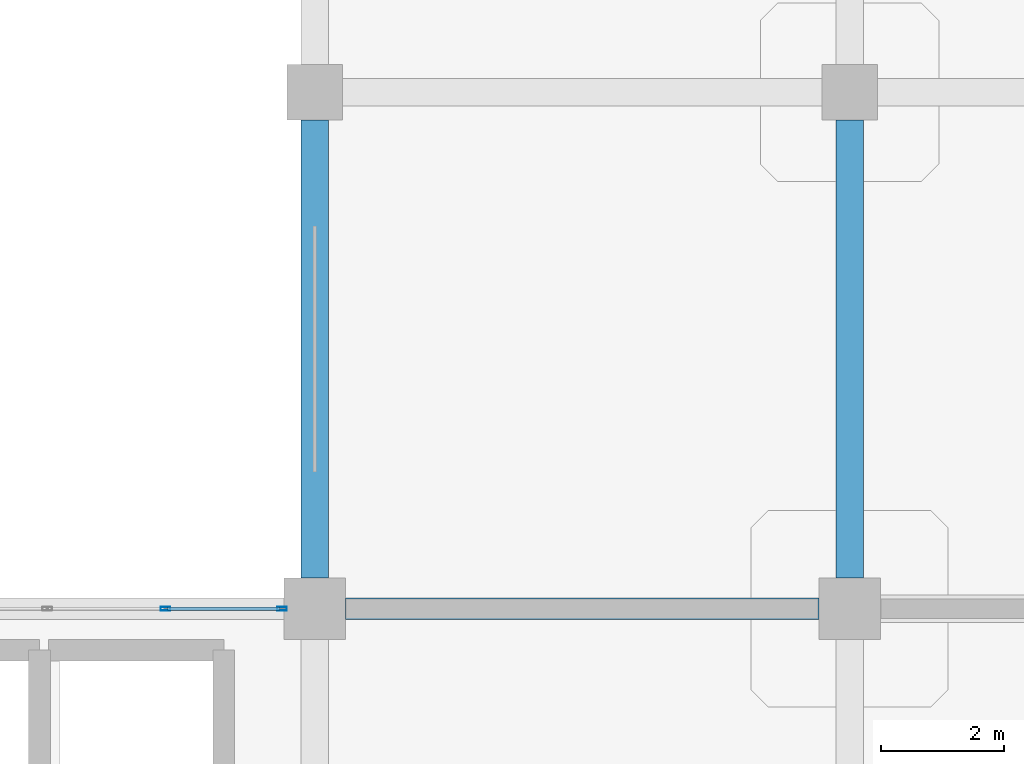
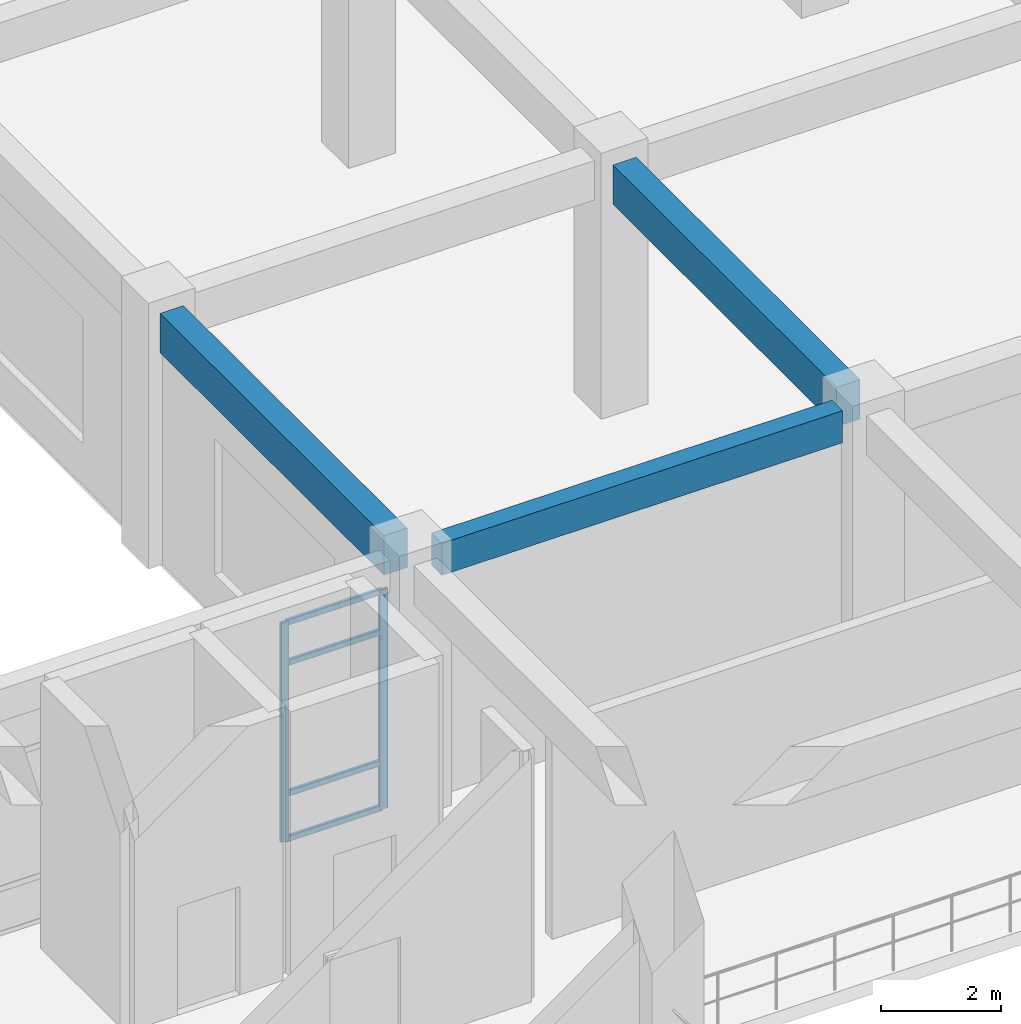
# One storey, part 42 of 114: 6 members, 3 beams, 1 element without a shape of its own.
"""IFC4 building model written with IfcOpenShell, lengths in metres."""

from ifc_helpers import new_model, si_unit, derived_unit, direction, frame, origin, origin_2d, place, context, subcontext, project, spatial, rectangle, hollow_rectangle, extrude, material, layer, layer_set, material_profile, profile_set, type_object, element, aggregate, save


model = new_model("IFC4")

# Units and contexts
model_context = context("Model", 3, precision=1e-05, world=origin(), true_north=direction((0.0, 1.0)))
body_context = subcontext(model_context, "Body", "Model", "MODEL_VIEW")
ifc_project = project(units=[si_unit("LENGTHUNIT", "METRE"), si_unit("AREAUNIT", "SQUARE_METRE"), si_unit("VOLUMEUNIT", "CUBIC_METRE"), si_unit("PLANEANGLEUNIT", "RADIAN"), si_unit("MASSUNIT", "GRAM", prefix="KILO"), derived_unit("THERMALTRANSMITTANCEUNIT", [(si_unit("MASSUNIT", "GRAM", prefix="KILO"), 1), (si_unit("TIMEUNIT", "SECOND"), -3), (si_unit("THERMODYNAMICTEMPERATUREUNIT", "KELVIN"), -1)])], contexts=[model_context])

# Site, building, storey
site_placement = place(None, origin())
site = spatial("IfcSite", under=ifc_project, at=site_placement, CompositionType="ELEMENT")
building_placement = place(site_placement, origin())
building = spatial("IfcBuilding", under=site, at=building_placement, Name="Qinzheling Arcade Emporium", CompositionType="ELEMENT")
storey_placement = place(building_placement, frame((0.0, 0.0, 6.0)))
storey = spatial("IfcBuildingStorey", under=building, at=storey_placement, Name="L02", CompositionType="ELEMENT", Elevation=6.0)

# Curtain wall, members
ifc_material_1 = material(Name="Anodised aluminium and solar-control double glazing", Category="aluminium")
ifc_layer = layer(ifc_material_1, 0.159912109375, Name="Anodised aluminium and solar-control double glazing", Category="aluminium")
ifc_layer_set = layer_set([ifc_layer], Name="Anodised aluminium and solar-control double glazing")
curtain_wall_type = type_object("IfcCurtainWallType", Name="Atrium Clerestory Curtain Wall", PredefinedType="NOTDEFINED", material=ifc_layer_set)
curtain_wall_placement = place(storey_placement, origin())
curtain_wall = element("IfcCurtainWall", 1, at=curtain_wall_placement, inside=storey, type_object=curtain_wall_type, Name="Curtain Wall CW-L02-093", PredefinedType="NOTDEFINED")
ifc_material_2 = material(Name="Anodised aluminium 6063-T6", Category="aluminium")
ifc_material_profile_1 = material_profile(ifc_material_2, hollow_rectangle(XDim=0.06005859375, YDim=0.159912109375, WallThickness=0.00390625, InnerFilletRadius=0.00390625, OuterFilletRadius=0.008056640625, at=origin_2d()), Name="RHS 160x60x4", Category="aluminium")
ifc_profile_set_1 = profile_set([ifc_material_profile_1], Name="Anodised aluminium 6063-T6")
member_type_1 = type_object("IfcMemberType", Name="Curtain Wall Mullion RHS160x60", PredefinedType="MULLION", material=ifc_profile_set_1)
member_1_placement = place(storey_placement, frame((49.77392578125, 73.800048828125, 0.0), z_axis=(0.0, 0.0, 1.0), x_axis=(0.0, 1.0, 0.0)))
member_1 = element("IfcMember", 2, at=member_1_placement, type_object=member_type_1, Name="CW03 mullion 4", PredefinedType="MULLION", context=body_context, shape_type="SweptSolid", body=[
    extrude(hollow_rectangle(XDim=0.06005859375, YDim=0.159912109375, WallThickness=0.00390625, InnerFilletRadius=0.00390625, OuterFilletRadius=0.008056640625, at=origin_2d()), origin(), (0.0, 0.0, 1.0), 4.455078125),
])
member_2_placement = place(storey_placement, frame((51.66796875, 73.800048828125, 0.0), z_axis=(0.0, 0.0, 1.0), x_axis=(0.0, 1.0, 0.0)))
member_2 = element("IfcMember", 3, at=member_2_placement, type_object=member_type_1, Name="CW03 mullion 5", PredefinedType="MULLION", context=body_context, shape_type="SweptSolid", body=[
    extrude(hollow_rectangle(XDim=0.06005859375, YDim=0.159912109375, WallThickness=0.00390625, InnerFilletRadius=0.00390625, OuterFilletRadius=0.008056640625, at=origin_2d()), origin(), (0.0, 0.0, 1.0), 4.455078125),
])
ifc_material_profile_2 = material_profile(ifc_material_2, hollow_rectangle(XDim=0.06005859375, YDim=0.1201171875, WallThickness=0.00390625, InnerFilletRadius=0.00390625, OuterFilletRadius=0.008056640625, at=origin_2d()), Name="RHS 120x60x4", Category="aluminium")
ifc_profile_set_2 = profile_set([ifc_material_profile_2], Name="Anodised aluminium 6063-T6")
member_type_2 = type_object("IfcMemberType", Name="Curtain Wall Transom RHS120x60", PredefinedType="USERDEFINED", material=ifc_profile_set_2)
member_3_placement = place(storey_placement, frame((49.803955078125, 73.800048828125, 0.030029296875), z_axis=(1.0, 0.0, 0.0), x_axis=(0.0, 1.0, 0.0)))
member_3 = element("IfcMember", 4, at=member_3_placement, type_object=member_type_2, Name="CW03 transom 4.1", ObjectType="TRANSOM", PredefinedType="USERDEFINED", context=body_context, shape_type="SweptSolid", body=[
    extrude(hollow_rectangle(XDim=0.06005859375, YDim=0.1201171875, WallThickness=0.00390625, InnerFilletRadius=0.00390625, OuterFilletRadius=0.008056640625, at=origin_2d()), origin(), (0.0, 0.0, 1.0), 1.833984375),
])
member_4_placement = place(storey_placement, frame((49.803955078125, 73.800048828125, 0.949951171875), z_axis=(1.0, 0.0, 0.0), x_axis=(0.0, 1.0, 0.0)))
member_4 = element("IfcMember", 5, at=member_4_placement, type_object=member_type_2, Name="CW03 transom 4.2", ObjectType="TRANSOM", PredefinedType="USERDEFINED", context=body_context, shape_type="SweptSolid", body=[
    extrude(hollow_rectangle(XDim=0.06005859375, YDim=0.1201171875, WallThickness=0.00390625, InnerFilletRadius=0.00390625, OuterFilletRadius=0.008056640625, at=origin_2d()), origin(), (0.0, 0.0, 1.0), 1.833984375),
])
member_5_placement = place(storey_placement, frame((49.803955078125, 73.800048828125, 3.60498046875), z_axis=(1.0, 0.0, 0.0), x_axis=(0.0, 1.0, 0.0)))
member_5 = element("IfcMember", 6, at=member_5_placement, type_object=member_type_2, Name="CW03 transom 4.3", ObjectType="TRANSOM", PredefinedType="USERDEFINED", context=body_context, shape_type="SweptSolid", body=[
    extrude(hollow_rectangle(XDim=0.06005859375, YDim=0.1201171875, WallThickness=0.00390625, InnerFilletRadius=0.00390625, OuterFilletRadius=0.008056640625, at=origin_2d()), origin(), (0.0, 0.0, 1.0), 1.833984375),
])
member_6_placement = place(storey_placement, frame((49.803955078125, 73.800048828125, 4.425048828125), z_axis=(1.0, 0.0, 0.0), x_axis=(0.0, 1.0, 0.0)))
member_6 = element("IfcMember", 7, at=member_6_placement, type_object=member_type_2, Name="CW03 transom 4.4", ObjectType="TRANSOM", PredefinedType="USERDEFINED", context=body_context, shape_type="SweptSolid", body=[
    extrude(hollow_rectangle(XDim=0.06005859375, YDim=0.1201171875, WallThickness=0.00390625, InnerFilletRadius=0.00390625, OuterFilletRadius=0.008056640625, at=origin_2d()), origin(), (0.0, 0.0, 1.0), 1.833984375),
])
aggregate(curtain_wall, [member_1, member_2, member_3, member_4, member_5, member_6])

# Beams
ifc_material_3 = material(Name="Concrete C40", Category="concrete")
ifc_material_profile_3 = material_profile(ifc_material_3, rectangle(XDim=0.449951171875, YDim=0.800048828125, at=origin_2d()), Name="RC 450x800", Category="concrete")
ifc_profile_set_3 = profile_set([ifc_material_profile_3], Name="Concrete C40")
beam_type_1 = type_object("IfcBeamType", Name="RC Primary Frame Beam 450x800 C40", PredefinedType="BEAM", material=ifc_profile_set_3)
for number, where, z_axis, x_axis, name in (
    (8, (52.199951171875, 74.300048828125, 4.719970703125), (0.0, 1.0, 0.0), (-1.0, 0.0, 0.0), "Beam BM-L02-Y-7-J"),
    (9, (60.89990234375, 74.300048828125, 4.68994140625), (0.0, 1.0, 0.0), (-1.0, 0.0, 0.0), "Beam BM-L02-Y-8-J"),
):
    element("IfcBeam", number, at=place(storey_placement, frame(where, z_axis=z_axis, x_axis=x_axis)), inside=storey, type_object=beam_type_1, Name=name, PredefinedType="BEAM", context=body_context, shape_type="SweptSolid", body=[
        extrude(rectangle(XDim=0.449951171875, YDim=0.800048828125, at=origin_2d()), origin(), (0.0, 0.0, 1.0), 7.449951171875),
    ])
ifc_material_profile_4 = material_profile(ifc_material_3, rectangle(XDim=0.35009765625, YDim=0.64990234375, at=origin_2d()), Name="RC 350x650", Category="concrete")
ifc_profile_set_4 = profile_set([ifc_material_profile_4], Name="Concrete C40")
beam_type_2 = type_object("IfcBeamType", Name="RC Spandrel Edge Beam 350x650 C40", PredefinedType="SPANDREL", material=ifc_profile_set_4)
beam_placement = place(storey_placement, frame((52.699951171875, 73.800048828125, 4.794921875), z_axis=(1.0, 0.0, 0.0), x_axis=(0.0, 1.0, 0.0)))
element("IfcBeam", 10, at=beam_placement, inside=storey, type_object=beam_type_2, Name="Beam BM-L02-X-J-7", PredefinedType="SPANDREL", context=body_context, shape_type="SweptSolid", body=[
    extrude(rectangle(XDim=0.35009765625, YDim=0.64990234375, at=origin_2d()), origin(), (0.0, 0.0, 1.0), 7.699951171875),
])

save(model, "model.ifc")
